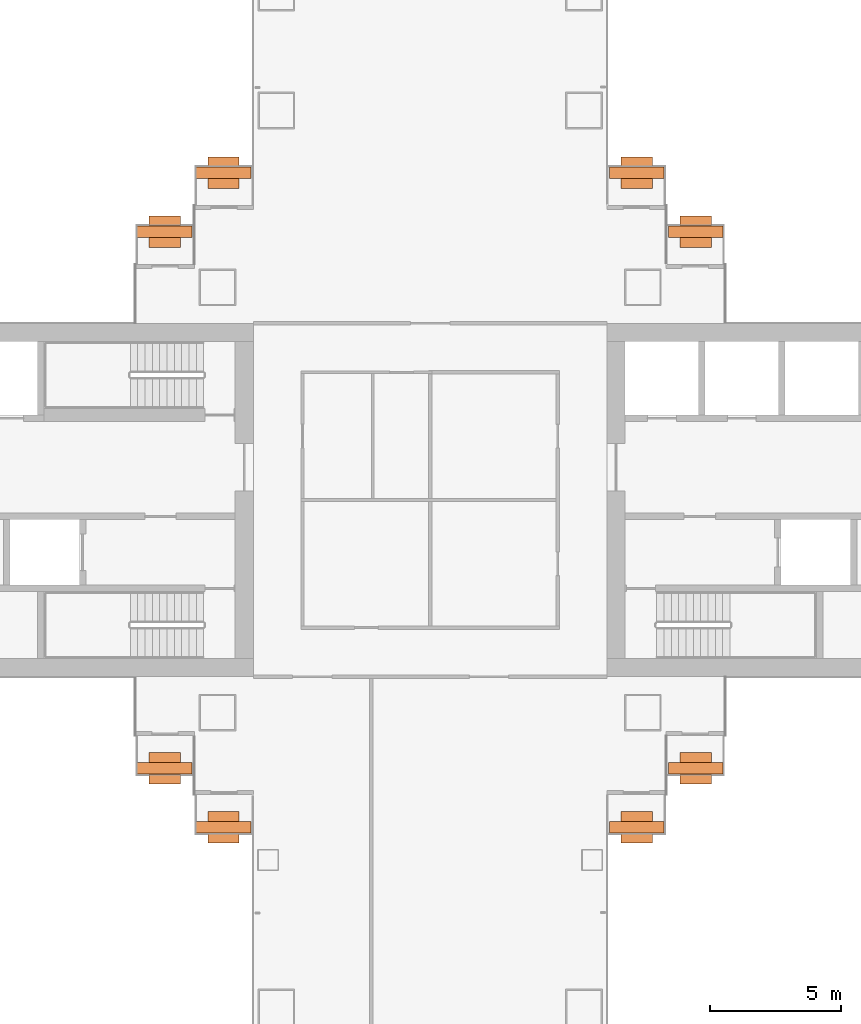
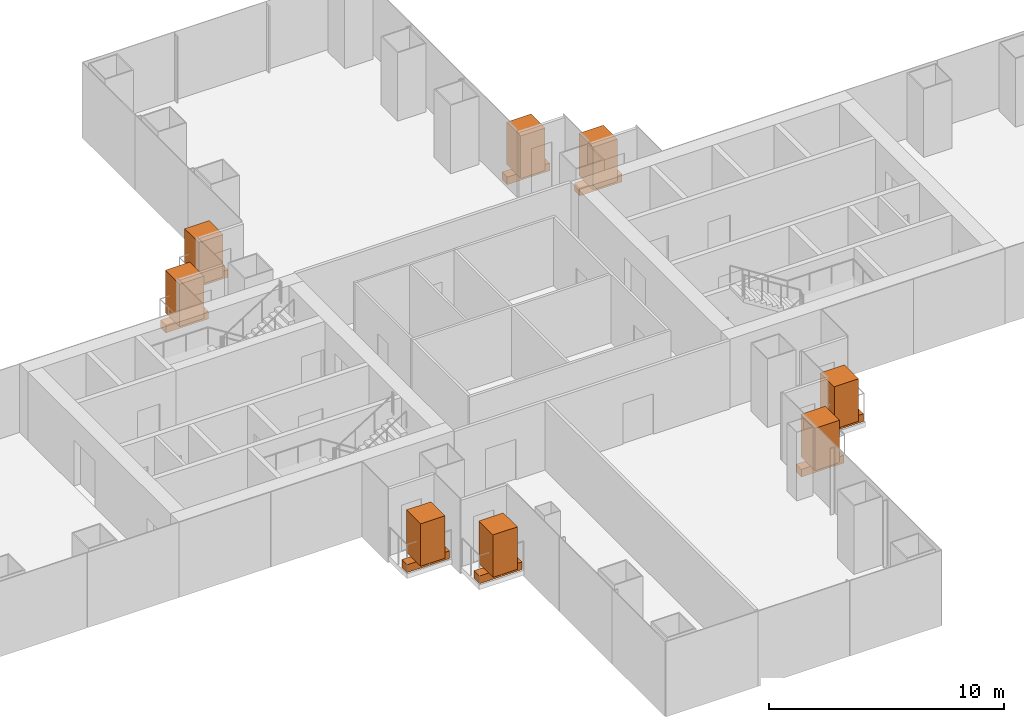
# One storey, part 21 of 21: 8 geographic elements, 8 proxies.
"""IFC4 building model written with IfcOpenShell, lengths in metres."""

import ifcopenshell
import ifcopenshell.guid

model = None  # the IFC model being written
_history = None  # IfcOwnerHistory: only IFC2X3 demands one
_inside = {}  # id of a spatial element -> (the spatial element, [elements in it])
_under = {}  # id of a project, library or spatial element -> (it, [spatial elements below it])
_declared = {}  # id of a project -> (the project, [libraries it declares])
_typed = {}  # id of a type object -> (the type object, [elements of that type])
_made_of = {}  # id of a material, layer set ... -> (it, [elements and type objects made of it])


def new_model(schema):
    """Start an empty IFC model of exactly this schema.

    Asked for "IFC4X3", IfcOpenShell would pick the latest addendum, in which some entities
    have other attributes; the version numbers below select the first issue.
    IFC2X3 requires an IfcOwnerHistory on every rooted entity: one is made here for all.
    """
    global model, _history
    if schema == "IFC4X3":
        model = ifcopenshell.file(schema_version=(4, 3, 0, 0))
    else:
        model = ifcopenshell.file(schema=schema)
    _inside.clear()
    _under.clear()
    _declared.clear()
    _typed.clear()
    _made_of.clear()
    _history = None
    if model.schema == "IFC2X3":
        org = make("IfcOrganization", Name="unknown")
        user = make(
            "IfcPersonAndOrganization",
            ThePerson=make("IfcPerson", FamilyName="unknown"),
            TheOrganization=org,
        )
        app = make(
            "IfcApplication",
            ApplicationDeveloper=org,
            Version="unknown",
            ApplicationFullName="unknown",
            ApplicationIdentifier="unknown",
        )
        _history = make(
            "IfcOwnerHistory",
            OwningUser=user,
            OwningApplication=app,
            ChangeAction="ADDED",
            CreationDate=0,
        )
    return model


def make(cls, **values):
    """One entity of the class cls with the attributes given. An attribute that is None is left unset."""
    return model.create_entity(
        cls, **{name: value for name, value in values.items() if value is not None}
    )


def rooted(cls, **values):
    """An entity with a GlobalId (a new one), such as an element, a storey or a relation."""
    return make(cls, GlobalId=ifcopenshell.guid.new(), OwnerHistory=_history, **values)


def si_unit(unit_type, name, prefix=None):
    """IfcSIUnit, for example si_unit("LENGTHUNIT", "METRE", prefix="MILLI")."""
    return make("IfcSIUnit", UnitType=unit_type, Prefix=prefix, Name=name)


def assignment(units):
    """IfcUnitAssignment: the units of a project."""
    return None if units is None else make("IfcUnitAssignment", Units=units)


def point(xyz):
    """IfcCartesianPoint."""
    return None if xyz is None else make("IfcCartesianPoint", Coordinates=xyz)


def direction(xyz):
    """IfcDirection."""
    return None if xyz is None else make("IfcDirection", DirectionRatios=xyz)


def frame(location, z_axis=None, x_axis=None):
    """IfcAxis2Placement3D, a coordinate frame: its origin and axes. An axis left out is left unset."""
    return make(
        "IfcAxis2Placement3D",
        Location=point(location),
        Axis=direction(z_axis),
        RefDirection=direction(x_axis),
    )


def frame_2d(location, x_axis=None):
    """IfcAxis2Placement2D, a coordinate frame in the plane: its origin and x axis."""
    return make(
        "IfcAxis2Placement2D", Location=point(location), RefDirection=direction(x_axis)
    )


def origin():
    """The frame at (0, 0, 0) with its axes left unset."""
    return frame((0.0, 0.0, 0.0))


def origin_2d():
    """The frame at (0, 0) in the plane with its x axis left unset."""
    return frame_2d((0.0, 0.0))


def place(relative_to, where):
    """IfcLocalPlacement: puts the frame where relative to a parent placement (None: the world)."""
    return make(
        "IfcLocalPlacement", PlacementRelTo=relative_to, RelativePlacement=where
    )


def context(
    kind, dimensions, precision=None, world=None, true_north=None, identifier=None
):
    """IfcGeometricRepresentationContext, for example the 3D "Model" context."""
    return make(
        "IfcGeometricRepresentationContext",
        ContextIdentifier=identifier,
        ContextType=kind,
        CoordinateSpaceDimension=dimensions,
        Precision=precision,
        WorldCoordinateSystem=world,
        TrueNorth=true_north,
    )


def subcontext(parent, identifier, kind, view, scale=None):
    """IfcGeometricRepresentationSubContext, for example "Body" below "Model"."""
    return make(
        "IfcGeometricRepresentationSubContext",
        ContextIdentifier=identifier,
        ContextType=kind,
        ParentContext=parent,
        TargetScale=scale,
        TargetView=view,
    )


def project(units=None, contexts=None):
    """IfcProject with its units and contexts."""
    return rooted(
        "IfcProject",
        Name="project",
        RepresentationContexts=contexts,
        UnitsInContext=assignment(units),
    )


def spatial(cls, under=None, at=None, **own):
    """A site, building, storey or space (cls), placed at a placement, below another one or the project."""
    s = rooted(cls, ObjectPlacement=at, **own)
    if under is not None:
        _under.setdefault(under.id(), (under, []))[1].append(s)
    return s


def profile(cls, at=None, kind="AREA", **sizes):
    """A parametric profile (cls). Its sizes go by their IFC names, for example OverallWidth=200.0."""
    return make(cls, ProfileType=kind, Position=at, **sizes)


def rectangle(**sizes):
    """IfcRectangleProfileDef."""
    return profile("IfcRectangleProfileDef", **sizes)


def extrude(swept, where, along, depth):
    """IfcExtrudedAreaSolid: the profile swept, set in the frame where, extruded along a direction by depth."""
    return make(
        "IfcExtrudedAreaSolid",
        SweptArea=swept,
        Position=where,
        ExtrudedDirection=direction(along),
        Depth=depth,
    )


def shape(context_of_items, identifier, shape_type, items):
    """IfcShapeRepresentation: the items that make up one representation, for example the "Body"."""
    return make(
        "IfcShapeRepresentation",
        ContextOfItems=context_of_items,
        RepresentationIdentifier=identifier,
        RepresentationType=shape_type,
        Items=items,
    )


def material(Name=None, Category=None):
    """IfcMaterial."""
    return make("IfcMaterial", Name=Name, Category=Category)


def made_of(thing, what):
    """Note that an element or type object is made of a material, layer set ...; save() writes the relation."""
    if what is not None:
        _made_of.setdefault(what.id(), (what, []))[1].append(thing)
    return thing


def type_object(cls, material=None, **own):
    """A type object (cls), such as IfcWallType, which elements share."""
    return made_of(rooted(cls, **own), material)


def element(
    cls,
    number,
    at=None,
    inside=None,
    cuts=None,
    type_object=None,
    material=None,
    context=None,
    identifier="Body",
    shape_type=None,
    held_by="IfcProductDefinitionShape",
    body=None,
    shapes=None,
    **own,
):
    """One element of the class cls, such as IfcWall. Its Tag is "e" and its number.

    at: its placement. inside: the storey or other place that contains it. cuts: it is an
    opening in that element (IfcRelVoidsElement). A single representation is given by context,
    identifier, shape_type and body (its items); several are given by shapes. held_by: the class
    of the entity that holds the representations. save() writes the other relations.
    """
    e = rooted(cls, Tag="e%d" % number, ObjectPlacement=at, **own)
    if body is not None:
        shapes = [shape(context, identifier, shape_type, body)]
    if shapes is not None:
        e.Representation = make(held_by, Representations=shapes)
    if inside is not None:
        _inside.setdefault(inside.id(), (inside, []))[1].append(e)
    if cuts is not None:
        rooted(
            "IfcRelVoidsElement", RelatingBuildingElement=cuts, RelatedOpeningElement=e
        )
    if type_object is not None:
        _typed.setdefault(type_object.id(), (type_object, []))[1].append(e)
    return made_of(e, material)


def aggregate(whole, parts):
    """IfcRelAggregates: a whole, such as a stair, and the parts it consists of."""
    return rooted("IfcRelAggregates", RelatingObject=whole, RelatedObjects=parts)


def save(model, path):
    """Write the relations noted so far, then the file.

    IfcRelAggregates (storeys below a building ...), IfcRelContainedInSpatialStructure (elements
    in a storey), IfcRelDefinesByType, IfcRelAssociatesMaterial and IfcRelDeclares: one each for
    every whole, place, type object, material and project.
    """
    for whole, parts in _under.values():
        aggregate(whole, parts)
    for where, things in _inside.values():
        rooted(
            "IfcRelContainedInSpatialStructure",
            RelatedElements=things,
            RelatingStructure=where,
        )
    for kind, things in _typed.values():
        rooted("IfcRelDefinesByType", RelatedObjects=things, RelatingType=kind)
    for what, things in _made_of.values():
        rooted("IfcRelAssociatesMaterial", RelatedObjects=things, RelatingMaterial=what)
    for by, libraries in _declared.values():
        rooted("IfcRelDeclares", RelatingContext=by, RelatedDefinitions=libraries)
    model.write(path)


model = new_model("IFC4")

# Units and contexts
model_context = context("Model", 3, precision=1e-05, world=origin(), true_north=direction((0.0, 1.0)))
body_context = subcontext(model_context, "Body", "Model", "MODEL_VIEW")
ifc_project = project(units=[si_unit("LENGTHUNIT", "METRE"), si_unit("AREAUNIT", "SQUARE_METRE"), si_unit("VOLUMEUNIT", "CUBIC_METRE"), si_unit("PLANEANGLEUNIT", "RADIAN"), si_unit("MASSUNIT", "GRAM", prefix="KILO")], contexts=[model_context])

# Site, building, storey
site_placement = place(None, origin())
site = spatial("IfcSite", under=ifc_project, at=site_placement, CompositionType="ELEMENT")
building_placement = place(site_placement, origin())
building = spatial("IfcBuilding", under=site, at=building_placement, Name="Shamsa Quay Exchange Towers", CompositionType="ELEMENT")
storey_placement = place(building_placement, frame((0.0, 0.0, 65.39990234375)))
storey = spatial("IfcBuildingStorey", under=building, at=storey_placement, Name="L14", CompositionType="ELEMENT", Elevation=65.39990234375)

# Proxies
ifc_material_1 = material(Name="Reinforced concrete C30/37, black glass-fibre faced", Category="concrete")
building_element_proxy_type = type_object("IfcBuildingElementProxyType", Name="BALCONY PLANTER", PredefinedType="USERDEFINED", material=ifc_material_1)
for number, where, z_axis, x_axis, name in (
    (1, (-23.60595703125, 10.2451171875, 0.000244140625), (0.0, 0.0, 1.0), (-1.0, 0.0, 0.0), "PLANTER T1-PKEN L14"),
    (2, (-25.85595703125, 12.4951171875, 0.000244140625), (0.0, 0.0, 1.0), (-1.0, 0.0, 0.0), "PLANTER T1-PKEN L14"),
):
    element("IfcBuildingElementProxy", number, at=place(storey_placement, frame(where, z_axis=z_axis, x_axis=x_axis)), inside=storey, type_object=building_element_proxy_type, Name=name, ObjectType="PLANTER", PredefinedType="USERDEFINED", context=body_context, shape_type="SweptSolid", body=[
        extrude(rectangle(XDim=2.092041015625, YDim=0.449951171875, at=origin_2d()), origin(), (0.0, 0.0, 1.0), 0.39990234375),
    ])
for number, where, name in (
    (3, (-23.60595703125, -10.2451171875, 0.000244140625), "PLANTER T1-PKES L14"),
    (4, (-25.85595703125, -12.4951171875, 0.000244140625), "PLANTER T1-PKES L14"),
):
    element("IfcBuildingElementProxy", number, at=place(storey_placement, frame(where)), inside=storey, type_object=building_element_proxy_type, Name=name, ObjectType="PLANTER", PredefinedType="USERDEFINED", context=body_context, shape_type="SweptSolid", body=[
        extrude(rectangle(XDim=2.092041015625, YDim=0.449951171875, at=origin_2d()), origin(), (0.0, 0.0, 1.0), 0.39990234375),
    ])
for number, where, z_axis, x_axis, name in (
    (5, (-41.64404296875, 12.4951171875, 0.000244140625), (0.0, 0.0, 1.0), (-1.0, 0.0, 0.0), "PLANTER T1-PKWN L14"),
    (6, (-43.89404296875, 10.2451171875, 0.000244140625), (0.0, 0.0, 1.0), (-1.0, 0.0, 0.0), "PLANTER T1-PKWN L14"),
):
    element("IfcBuildingElementProxy", number, at=place(storey_placement, frame(where, z_axis=z_axis, x_axis=x_axis)), inside=storey, type_object=building_element_proxy_type, Name=name, ObjectType="PLANTER", PredefinedType="USERDEFINED", context=body_context, shape_type="SweptSolid", body=[
        extrude(rectangle(XDim=2.092041015625, YDim=0.449951171875, at=origin_2d()), origin(), (0.0, 0.0, 1.0), 0.39990234375),
    ])
for number, where, name in (
    (7, (-43.89404296875, -10.2451171875, 0.000244140625), "PLANTER T1-PKWS L14"),
    (8, (-41.64404296875, -12.4951171875, 0.000244140625), "PLANTER T1-PKWS L14"),
):
    element("IfcBuildingElementProxy", number, at=place(storey_placement, frame(where)), inside=storey, type_object=building_element_proxy_type, Name=name, ObjectType="PLANTER", PredefinedType="USERDEFINED", context=body_context, shape_type="SweptSolid", body=[
        extrude(rectangle(XDim=2.092041015625, YDim=0.449951171875, at=origin_2d()), origin(), (0.0, 0.0, 1.0), 0.39990234375),
    ])

# Geographic elements
ifc_material_2 = material(Name="Planting")
geographic_element_type = type_object("IfcGeographicElementType", Name="BALCONY TREE", PredefinedType="USERDEFINED", material=ifc_material_2)
for number, where, z_axis, x_axis, name in (
    (9, (-23.60595703125, 10.2451171875, 0.39990234375), (0.0, 0.0, 1.0), (-1.0, 0.0, 0.0), "TREE T1-PKEN L14"),
    (10, (-25.85595703125, 12.4951171875, 0.39990234375), (0.0, 0.0, 1.0), (-1.0, 0.0, 0.0), "TREE T1-PKEN L14"),
):
    element("IfcGeographicElement", number, at=place(storey_placement, frame(where, z_axis=z_axis, x_axis=x_axis)), inside=storey, type_object=geographic_element_type, Name=name, ObjectType="TREE", PredefinedType="USERDEFINED", context=body_context, shape_type="SweptSolid", body=[
        extrude(rectangle(XDim=1.199951171875, YDim=1.199951171875, at=origin_2d()), origin(), (0.0, 0.0, 1.0), 2.199951171875),
    ])
for number, where, name in (
    (11, (-23.60595703125, -10.2451171875, 0.39990234375), "TREE T1-PKES L14"),
    (12, (-25.85595703125, -12.4951171875, 0.39990234375), "TREE T1-PKES L14"),
):
    element("IfcGeographicElement", number, at=place(storey_placement, frame(where)), inside=storey, type_object=geographic_element_type, Name=name, ObjectType="TREE", PredefinedType="USERDEFINED", context=body_context, shape_type="SweptSolid", body=[
        extrude(rectangle(XDim=1.199951171875, YDim=1.199951171875, at=origin_2d()), origin(), (0.0, 0.0, 1.0), 2.199951171875),
    ])
for number, where, z_axis, x_axis, name in (
    (13, (-41.64404296875, 12.4951171875, 0.39990234375), (0.0, 0.0, 1.0), (-1.0, 0.0, 0.0), "TREE T1-PKWN L14"),
    (14, (-43.89404296875, 10.2451171875, 0.39990234375), (0.0, 0.0, 1.0), (-1.0, 0.0, 0.0), "TREE T1-PKWN L14"),
):
    element("IfcGeographicElement", number, at=place(storey_placement, frame(where, z_axis=z_axis, x_axis=x_axis)), inside=storey, type_object=geographic_element_type, Name=name, ObjectType="TREE", PredefinedType="USERDEFINED", context=body_context, shape_type="SweptSolid", body=[
        extrude(rectangle(XDim=1.199951171875, YDim=1.199951171875, at=origin_2d()), origin(), (0.0, 0.0, 1.0), 2.199951171875),
    ])
for number, where, name in (
    (15, (-43.89404296875, -10.2451171875, 0.39990234375), "TREE T1-PKWS L14"),
    (16, (-41.64404296875, -12.4951171875, 0.39990234375), "TREE T1-PKWS L14"),
):
    element("IfcGeographicElement", number, at=place(storey_placement, frame(where)), inside=storey, type_object=geographic_element_type, Name=name, ObjectType="TREE", PredefinedType="USERDEFINED", context=body_context, shape_type="SweptSolid", body=[
        extrude(rectangle(XDim=1.199951171875, YDim=1.199951171875, at=origin_2d()), origin(), (0.0, 0.0, 1.0), 2.199951171875),
    ])

save(model, "model.ifc")
